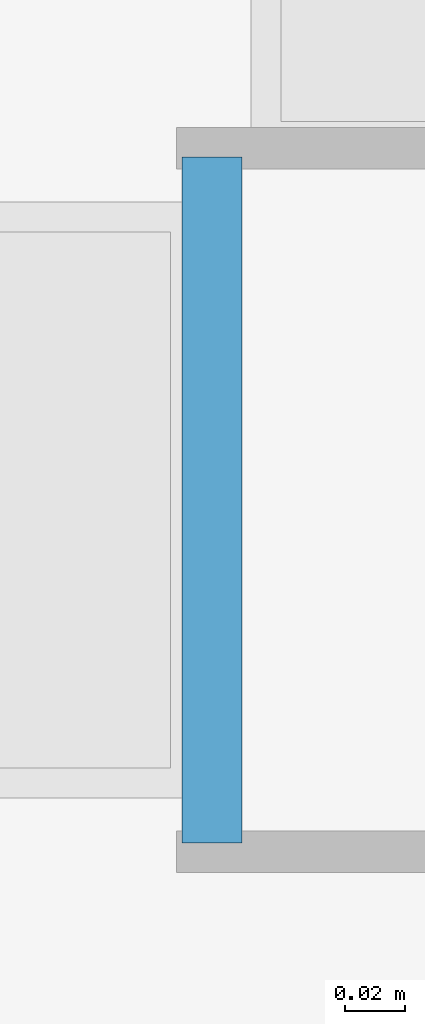
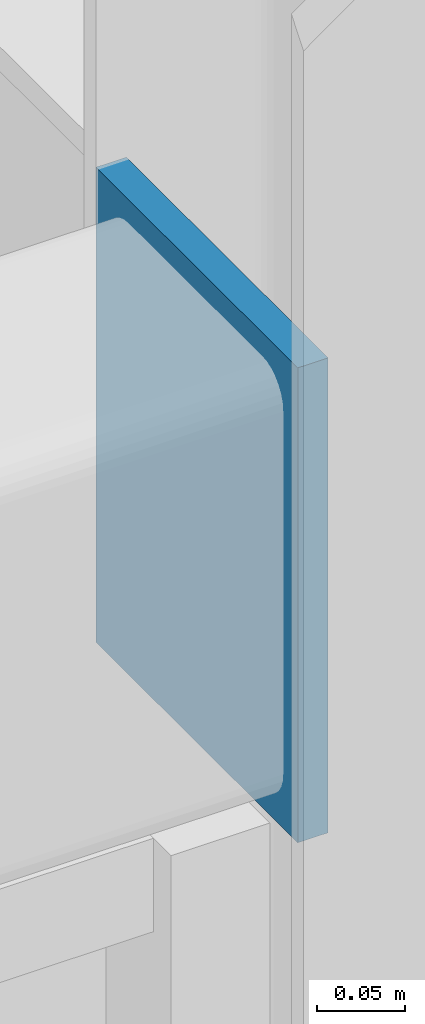
# One storey, part 151 of 184: 1 plate.
"""IFC4 building model written with IfcOpenShell, lengths in metres."""

from ifc_helpers import new_model, si_unit, direction, frame, origin, origin_2d, place, context, subcontext, project, spatial, rectangle, extrude, material, layer, layer_set, type_object, element, save


model = new_model("IFC4")

# Units and contexts
model_context = context("Model", 3, precision=1e-05, world=origin(), true_north=direction((0.0, 1.0)))
body_context = subcontext(model_context, "Body", "Model", "MODEL_VIEW")
ifc_project = project(units=[si_unit("LENGTHUNIT", "METRE"), si_unit("AREAUNIT", "SQUARE_METRE"), si_unit("VOLUMEUNIT", "CUBIC_METRE"), si_unit("PLANEANGLEUNIT", "RADIAN"), si_unit("MASSUNIT", "GRAM", prefix="KILO")], contexts=[model_context])

# Site, building, storey
site_placement = place(None, origin())
site = spatial("IfcSite", under=ifc_project, at=site_placement, CompositionType="ELEMENT")
building_placement = place(site_placement, origin())
building = spatial("IfcBuilding", under=site, at=building_placement, Name="Zhaolan Boulevard Law Courts", CompositionType="ELEMENT")
storey_placement = place(building_placement, frame((0.0, 0.0, 5.39990234375)))
storey = spatial("IfcBuildingStorey", under=building, at=storey_placement, Name="L01", CompositionType="ELEMENT", Elevation=5.39990234375)

# Plate
ifc_material = material(Name="Structural steel Q355B", Category="steel")
ifc_layer = layer(ifc_material, 0.02001953125)
ifc_layer_set = layer_set([ifc_layer])
plate_type = type_object("IfcPlateType", Name="END CAP PLATE 20", PredefinedType="SHEET", material=ifc_layer_set)
plate_placement = place(storey_placement, frame((163.886962890625, 6.0, 4.802978515625), z_axis=(0.0, 0.0, 1.0), x_axis=(1.0, 0.0, 0.0)))
element("IfcPlate", 1, at=plate_placement, inside=storey, type_object=plate_type, Name="Hollow Section End-Cap Plate ECP-0722", PredefinedType="SHEET", context=body_context, shape_type="SweptSolid", body=[
    extrude(rectangle(XDim=0.02001953125, YDim=0.22998046875, at=origin_2d()), origin(), (0.0, 0.0, 1.0), 0.330078125),
])

save(model, "model.ifc")
